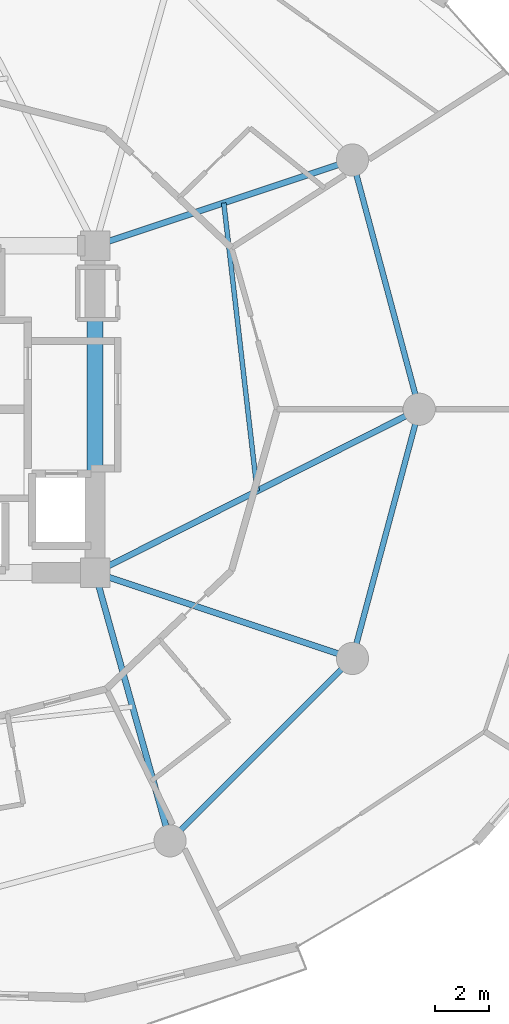
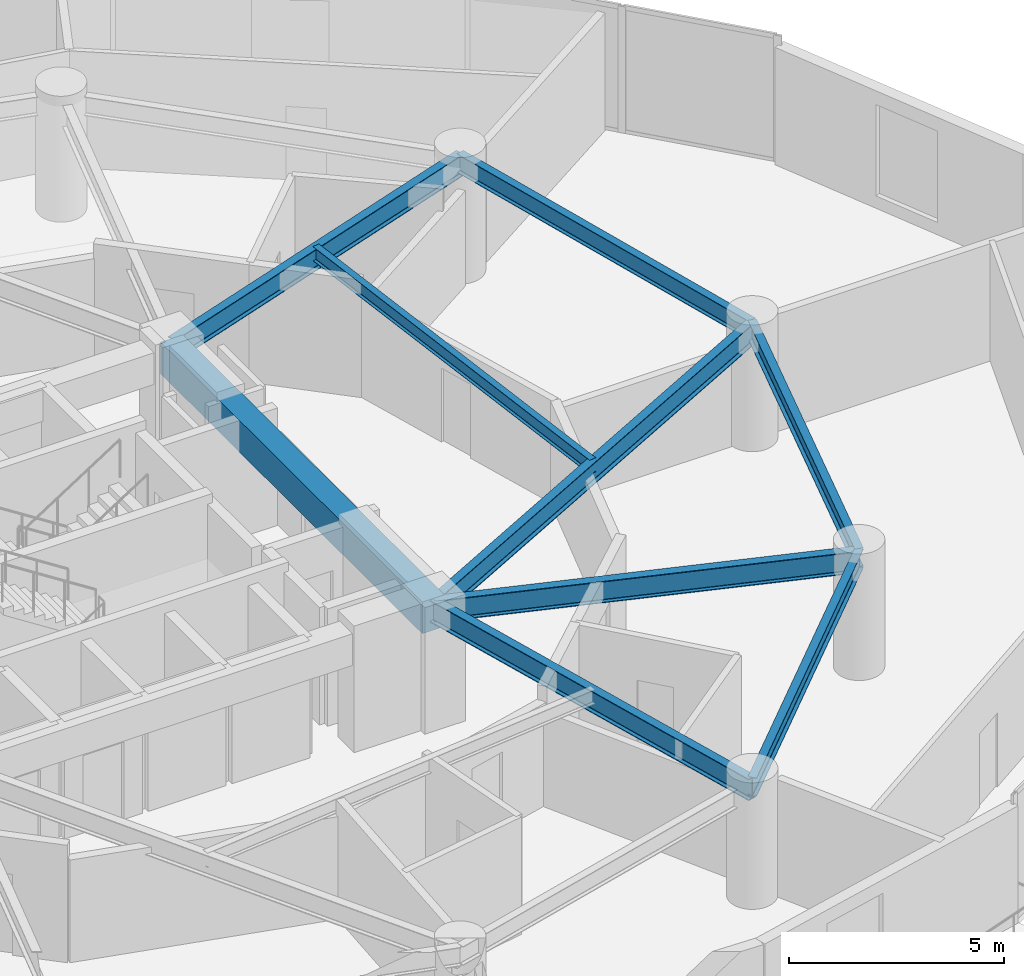
# One storey, part 9 of 23: 9 beams.
"""IFC4 building model written with IfcOpenShell, lengths in metres."""

from ifc_helpers import new_model, si_unit, direction, frame, origin, origin_2d, place, context, subcontext, project, spatial, rectangle, i_section, extrude, material, material_profile, profile_set, type_object, element, save


model = new_model("IFC4")

# Units and contexts
model_context = context("Model", 3, precision=1e-05, world=origin(), true_north=direction((0.0, 1.0)))
body_context = subcontext(model_context, "Body", "Model", "MODEL_VIEW")
ifc_project = project(units=[si_unit("LENGTHUNIT", "METRE"), si_unit("AREAUNIT", "SQUARE_METRE"), si_unit("VOLUMEUNIT", "CUBIC_METRE"), si_unit("PLANEANGLEUNIT", "RADIAN"), si_unit("MASSUNIT", "GRAM", prefix="KILO")], contexts=[model_context])

# Site, building, storey
site_placement = place(None, origin())
site = spatial("IfcSite", under=ifc_project, at=site_placement, CompositionType="ELEMENT")
building_placement = place(site_placement, origin())
building = spatial("IfcBuilding", under=site, at=building_placement, Name="Solvirekh Grand Hotel", CompositionType="ELEMENT")
storey_placement = place(building_placement, frame((0.0, 0.0, 42.800048828125)))
storey = spatial("IfcBuildingStorey", under=building, at=storey_placement, Name="L09", CompositionType="ELEMENT", Elevation=42.800048828125)

# Beams
ifc_material_1 = material(Name="Concrete C50/60", Category="concrete")
ifc_material_profile_1 = material_profile(ifc_material_1, rectangle(XDim=0.60009765625, YDim=0.89990234375, at=origin_2d()), Name="RC BEAM 600X900")
ifc_profile_set_1 = profile_set([ifc_material_profile_1], Name="Concrete C50/60")
beam_type_1 = type_object("IfcBeamType", Name="Beam_Core_RC900", PredefinedType="BEAM", material=ifc_profile_set_1)
beam_1_placement = place(storey_placement, frame((6.5, -6.10009765625, 2.889892578125), z_axis=(0.0, 1.0, 0.0), x_axis=(-1.0, 0.0, 0.0)))
element("IfcBeam", 1, at=beam_1_placement, inside=storey, type_object=beam_type_1, Name="L09 core coupling ring beam 2", PredefinedType="BEAM", context=body_context, shape_type="SweptSolid", body=[
    extrude(rectangle(XDim=0.60009765625, YDim=0.89990234375, at=origin_2d()), origin(), (0.0, 0.0, 1.0), 12.2001953125),
])
ifc_material_2 = material(Name="Steel S355", Category="steel")
ifc_material_profile_2 = material_profile(ifc_material_2, i_section(OverallWidth=0.22802734375, OverallDepth=0.616943359375, WebThickness=0.012939453125, FlangeThickness=0.02001953125, FilletRadius=0.014892578125, at=origin_2d()), Name="W610X140")
ifc_profile_set_2 = profile_set([ifc_material_profile_2], Name="Steel S355")
beam_type_2 = type_object("IfcBeamType", Name="Beam_Radial_W610", PredefinedType="BEAM", material=ifc_profile_set_2)
beam_2_placement = place(storey_placement, frame((6.5, -6.10009765625, 3.031005859375), z_axis=(0.892944939011, 0.450165898191, 0.0), x_axis=(-0.450165898191, 0.892944939011, 0.0)))
element("IfcBeam", 2, at=beam_2_placement, inside=storey, type_object=beam_type_2, Name="L09 radial floor beam R01", PredefinedType="BEAM", context=body_context, shape_type="SweptSolid", body=[
    extrude(i_section(OverallWidth=0.22802734375, OverallDepth=0.616943359375, WebThickness=0.012939453125, FlangeThickness=0.02001953125, FilletRadius=0.014892578125, at=origin_2d()), origin(), (0.0, 0.0, 1.0), 13.55078125),
])
beam_3_placement = place(storey_placement, frame((6.5, 6.10009765625, 3.031005859375), z_axis=(0.948762825819, 0.315989082635, 0.0), x_axis=(-0.315989082635, 0.948762825819, 0.0)))
element("IfcBeam", 3, at=beam_3_placement, inside=storey, type_object=beam_type_2, Name="L09 radial floor beam R02", PredefinedType="BEAM", context=body_context, shape_type="SweptSolid", body=[
    extrude(i_section(OverallWidth=0.22802734375, OverallDepth=0.616943359375, WebThickness=0.012939453125, FlangeThickness=0.02001953125, FilletRadius=0.014892578125, at=origin_2d()), origin(), (0.0, 0.0, 1.0), 10.126708984375),
])
beam_4_placement = place(storey_placement, frame((6.5, -6.10009765625, 3.031005859375), z_axis=(0.269439084681, -0.963017434757, 0.0), x_axis=(0.963017434757, 0.269439084681, 0.0)))
element("IfcBeam", 4, at=beam_4_placement, inside=storey, type_object=beam_type_2, Name="L09 radial floor beam R11", PredefinedType="BEAM", context=body_context, shape_type="SweptSolid", body=[
    extrude(i_section(OverallWidth=0.22802734375, OverallDepth=0.616943359375, WebThickness=0.012939453125, FlangeThickness=0.02001953125, FilletRadius=0.014892578125, at=origin_2d()), origin(), (0.0, 0.0, 1.0), 10.39208984375),
])
beam_5_placement = place(storey_placement, frame((6.5, -6.10009765625, 3.031005859375), z_axis=(0.948762825819, -0.315989082635, 0.0), x_axis=(0.315989082635, 0.948762825819, 0.0)))
element("IfcBeam", 5, at=beam_5_placement, inside=storey, type_object=beam_type_2, Name="L09 radial floor beam R12", PredefinedType="BEAM", context=body_context, shape_type="SweptSolid", body=[
    extrude(i_section(OverallWidth=0.22802734375, OverallDepth=0.616943359375, WebThickness=0.012939453125, FlangeThickness=0.02001953125, FilletRadius=0.014892578125, at=origin_2d()), origin(), (0.0, 0.0, 1.0), 10.126708984375),
])
ifc_material_profile_3 = material_profile(ifc_material_2, i_section(OverallWidth=0.177978515625, OverallDepth=0.406982421875, WebThickness=0.008056640625, FlangeThickness=0.011962890625, FilletRadius=0.011962890625, at=origin_2d()), Name="W410X60")
ifc_profile_set_3 = profile_set([ifc_material_profile_3], Name="Steel S355")
beam_type_3 = type_object("IfcBeamType", Name="Joist_Floor_W410", PredefinedType="JOIST", material=ifc_profile_set_3)
beam_6_placement = place(storey_placement, frame((12.550048828125, -3.050048828125, 3.136962890625), z_axis=(-0.115144710849, 0.993348728073, 0.0), x_axis=(-0.993348728073, -0.115144710849, 0.0)))
element("IfcBeam", 6, at=beam_6_placement, inside=storey, type_object=beam_type_3, Name="L09 secondary composite floor joist 1", PredefinedType="JOIST", context=body_context, shape_type="SweptSolid", body=[
    extrude(i_section(OverallWidth=0.177978515625, OverallDepth=0.406982421875, WebThickness=0.008056640625, FlangeThickness=0.011962890625, FilletRadius=0.011962890625, at=origin_2d()), origin(), (0.0, 0.0, 1.0), 10.822021484375),
])
ifc_material_profile_4 = material_profile(ifc_material_2, i_section(OverallWidth=0.208984375, OverallDepth=0.532958984375, WebThickness=0.010009765625, FlangeThickness=0.014892578125, FilletRadius=0.013916015625, at=origin_2d()), Name="W530X92")
ifc_profile_set_4 = profile_set([ifc_material_profile_4], Name="Steel S355")
beam_type_4 = type_object("IfcBeamType", Name="Spandrel_Ring_W530", PredefinedType="SPANDREL", material=ifc_profile_set_4)
beam_7_placement = place(storey_placement, frame((18.60009765625, 0.0, 3.072998046875), z_axis=(-0.258842973314, 0.965919414426, 0.0), x_axis=(-0.965919414426, -0.258842973314, 0.0)))
element("IfcBeam", 7, at=beam_7_placement, inside=storey, type_object=beam_type_4, Name="L09 perimeter spandrel beam 1", PredefinedType="SPANDREL", context=body_context, shape_type="SweptSolid", body=[
    extrude(i_section(OverallWidth=0.208984375, OverallDepth=0.532958984375, WebThickness=0.010009765625, FlangeThickness=0.014892578125, FilletRadius=0.013916015625, at=origin_2d()), origin(), (0.0, 0.0, 1.0), 9.628173828125),
])
beam_8_placement = place(storey_placement, frame((9.300048828125, -16.10791015625, 3.072998046875), z_axis=(0.707106781187, 0.707106781187, 0.0), x_axis=(-0.707106781187, 0.707106781187, 0.0)))
element("IfcBeam", 8, at=beam_8_placement, inside=storey, type_object=beam_type_4, Name="L09 perimeter spandrel beam 11", PredefinedType="SPANDREL", context=body_context, shape_type="SweptSolid", body=[
    extrude(i_section(OverallWidth=0.208984375, OverallDepth=0.532958984375, WebThickness=0.010009765625, FlangeThickness=0.014892578125, FilletRadius=0.013916015625, at=origin_2d()), origin(), (0.0, 0.0, 1.0), 9.627685546875),
])
beam_9_placement = place(storey_placement, frame((16.10791015625, -9.300048828125, 3.072998046875), z_axis=(0.258842973314, 0.965919414426, 0.0), x_axis=(-0.965919414426, 0.258842973314, 0.0)))
element("IfcBeam", 9, at=beam_9_placement, inside=storey, type_object=beam_type_4, Name="L09 perimeter spandrel beam 12", PredefinedType="SPANDREL", context=body_context, shape_type="SweptSolid", body=[
    extrude(i_section(OverallWidth=0.208984375, OverallDepth=0.532958984375, WebThickness=0.010009765625, FlangeThickness=0.014892578125, FilletRadius=0.013916015625, at=origin_2d()), origin(), (0.0, 0.0, 1.0), 9.628173828125),
])

save(model, "model.ifc")
